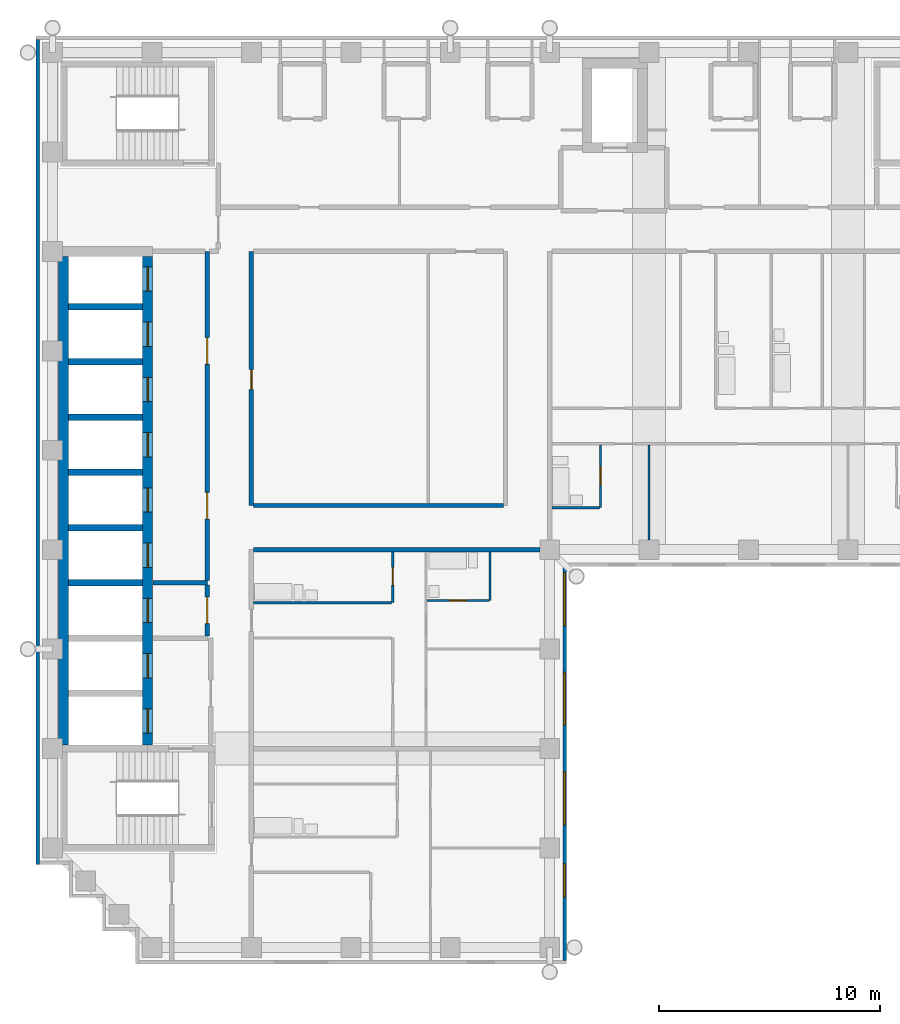
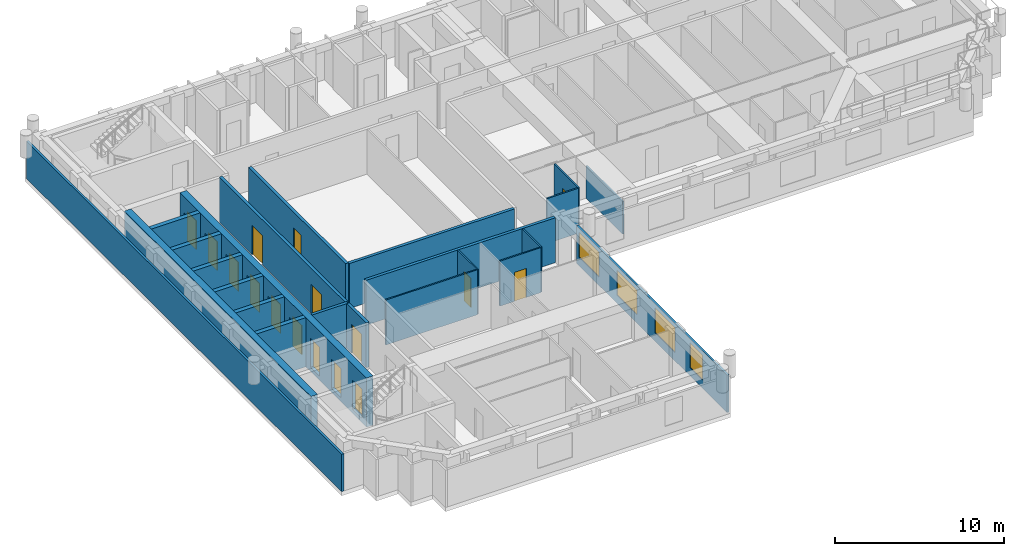
# One storey, part 3 of 9: 23 walls, 16 doors, 4 windows, 20 openings.
"""IFC4 building model written with IfcOpenShell, lengths in metres."""

import ifcopenshell
import ifcopenshell.guid

model = None  # the IFC model being written
_history = None  # IfcOwnerHistory: only IFC2X3 demands one
_inside = {}  # id of a spatial element -> (the spatial element, [elements in it])
_under = {}  # id of a project, library or spatial element -> (it, [spatial elements below it])
_declared = {}  # id of a project -> (the project, [libraries it declares])
_typed = {}  # id of a type object -> (the type object, [elements of that type])
_made_of = {}  # id of a material, layer set ... -> (it, [elements and type objects made of it])


def new_model(schema):
    """Start an empty IFC model of exactly this schema.

    Asked for "IFC4X3", IfcOpenShell would pick the latest addendum, in which some entities
    have other attributes; the version numbers below select the first issue.
    IFC2X3 requires an IfcOwnerHistory on every rooted entity: one is made here for all.
    """
    global model, _history
    if schema == "IFC4X3":
        model = ifcopenshell.file(schema_version=(4, 3, 0, 0))
    else:
        model = ifcopenshell.file(schema=schema)
    _inside.clear()
    _under.clear()
    _declared.clear()
    _typed.clear()
    _made_of.clear()
    _history = None
    if model.schema == "IFC2X3":
        org = make("IfcOrganization", Name="unknown")
        user = make(
            "IfcPersonAndOrganization",
            ThePerson=make("IfcPerson", FamilyName="unknown"),
            TheOrganization=org,
        )
        app = make(
            "IfcApplication",
            ApplicationDeveloper=org,
            Version="unknown",
            ApplicationFullName="unknown",
            ApplicationIdentifier="unknown",
        )
        _history = make(
            "IfcOwnerHistory",
            OwningUser=user,
            OwningApplication=app,
            ChangeAction="ADDED",
            CreationDate=0,
        )
    return model


def make(cls, **values):
    """One entity of the class cls with the attributes given. An attribute that is None is left unset."""
    return model.create_entity(
        cls, **{name: value for name, value in values.items() if value is not None}
    )


def rooted(cls, **values):
    """An entity with a GlobalId (a new one), such as an element, a storey or a relation."""
    return make(cls, GlobalId=ifcopenshell.guid.new(), OwnerHistory=_history, **values)


def si_unit(unit_type, name, prefix=None):
    """IfcSIUnit, for example si_unit("LENGTHUNIT", "METRE", prefix="MILLI")."""
    return make("IfcSIUnit", UnitType=unit_type, Prefix=prefix, Name=name)


def assignment(units):
    """IfcUnitAssignment: the units of a project."""
    return None if units is None else make("IfcUnitAssignment", Units=units)


def point(xyz):
    """IfcCartesianPoint."""
    return None if xyz is None else make("IfcCartesianPoint", Coordinates=xyz)


def direction(xyz):
    """IfcDirection."""
    return None if xyz is None else make("IfcDirection", DirectionRatios=xyz)


def frame(location, z_axis=None, x_axis=None):
    """IfcAxis2Placement3D, a coordinate frame: its origin and axes. An axis left out is left unset."""
    return make(
        "IfcAxis2Placement3D",
        Location=point(location),
        Axis=direction(z_axis),
        RefDirection=direction(x_axis),
    )


def frame_2d(location, x_axis=None):
    """IfcAxis2Placement2D, a coordinate frame in the plane: its origin and x axis."""
    return make(
        "IfcAxis2Placement2D", Location=point(location), RefDirection=direction(x_axis)
    )


def origin():
    """The frame at (0, 0, 0) with its axes left unset."""
    return frame((0.0, 0.0, 0.0))


def place(relative_to, where):
    """IfcLocalPlacement: puts the frame where relative to a parent placement (None: the world)."""
    return make(
        "IfcLocalPlacement", PlacementRelTo=relative_to, RelativePlacement=where
    )


def context(
    kind, dimensions, precision=None, world=None, true_north=None, identifier=None
):
    """IfcGeometricRepresentationContext, for example the 3D "Model" context."""
    return make(
        "IfcGeometricRepresentationContext",
        ContextIdentifier=identifier,
        ContextType=kind,
        CoordinateSpaceDimension=dimensions,
        Precision=precision,
        WorldCoordinateSystem=world,
        TrueNorth=true_north,
    )


def subcontext(parent, identifier, kind, view, scale=None):
    """IfcGeometricRepresentationSubContext, for example "Body" below "Model"."""
    return make(
        "IfcGeometricRepresentationSubContext",
        ContextIdentifier=identifier,
        ContextType=kind,
        ParentContext=parent,
        TargetScale=scale,
        TargetView=view,
    )


def project(units=None, contexts=None):
    """IfcProject with its units and contexts."""
    return rooted(
        "IfcProject",
        Name="project",
        RepresentationContexts=contexts,
        UnitsInContext=assignment(units),
    )


def spatial(cls, under=None, at=None, **own):
    """A site, building, storey or space (cls), placed at a placement, below another one or the project."""
    s = rooted(cls, ObjectPlacement=at, **own)
    if under is not None:
        _under.setdefault(under.id(), (under, []))[1].append(s)
    return s


def profile(cls, at=None, kind="AREA", **sizes):
    """A parametric profile (cls). Its sizes go by their IFC names, for example OverallWidth=200.0."""
    return make(cls, ProfileType=kind, Position=at, **sizes)


def rectangle(**sizes):
    """IfcRectangleProfileDef."""
    return profile("IfcRectangleProfileDef", **sizes)


def extrude(swept, where, along, depth):
    """IfcExtrudedAreaSolid: the profile swept, set in the frame where, extruded along a direction by depth."""
    return make(
        "IfcExtrudedAreaSolid",
        SweptArea=swept,
        Position=where,
        ExtrudedDirection=direction(along),
        Depth=depth,
    )


def shape(context_of_items, identifier, shape_type, items):
    """IfcShapeRepresentation: the items that make up one representation, for example the "Body"."""
    return make(
        "IfcShapeRepresentation",
        ContextOfItems=context_of_items,
        RepresentationIdentifier=identifier,
        RepresentationType=shape_type,
        Items=items,
    )


def material(Name=None, Category=None):
    """IfcMaterial."""
    return make("IfcMaterial", Name=Name, Category=Category)


def layer(
    of_material, thickness, ventilated=None, Name=None, Category=None, Priority=None
):
    """IfcMaterialLayer: one layer of a wall or slab, of a material (None: an air gap)."""
    return make(
        "IfcMaterialLayer",
        Material=of_material,
        LayerThickness=thickness,
        IsVentilated=ventilated,
        Name=Name,
        Category=Category,
        Priority=Priority,
    )


def layer_set(layers, Name=None):
    """IfcMaterialLayerSet."""
    return make("IfcMaterialLayerSet", MaterialLayers=layers, LayerSetName=Name)


def made_of(thing, what):
    """Note that an element or type object is made of a material, layer set ...; save() writes the relation."""
    if what is not None:
        _made_of.setdefault(what.id(), (what, []))[1].append(thing)
    return thing


def type_object(cls, material=None, **own):
    """A type object (cls), such as IfcWallType, which elements share."""
    return made_of(rooted(cls, **own), material)


def element(
    cls,
    number,
    at=None,
    inside=None,
    cuts=None,
    type_object=None,
    material=None,
    context=None,
    identifier="Body",
    shape_type=None,
    held_by="IfcProductDefinitionShape",
    body=None,
    shapes=None,
    **own,
):
    """One element of the class cls, such as IfcWall. Its Tag is "e" and its number.

    at: its placement. inside: the storey or other place that contains it. cuts: it is an
    opening in that element (IfcRelVoidsElement). A single representation is given by context,
    identifier, shape_type and body (its items); several are given by shapes. held_by: the class
    of the entity that holds the representations. save() writes the other relations.
    """
    e = rooted(cls, Tag="e%d" % number, ObjectPlacement=at, **own)
    if body is not None:
        shapes = [shape(context, identifier, shape_type, body)]
    if shapes is not None:
        e.Representation = make(held_by, Representations=shapes)
    if inside is not None:
        _inside.setdefault(inside.id(), (inside, []))[1].append(e)
    if cuts is not None:
        rooted(
            "IfcRelVoidsElement", RelatingBuildingElement=cuts, RelatedOpeningElement=e
        )
    if type_object is not None:
        _typed.setdefault(type_object.id(), (type_object, []))[1].append(e)
    return made_of(e, material)


def fill(opening, filler):
    """IfcRelFillsElement: the door or window that sits in an opening."""
    return rooted(
        "IfcRelFillsElement",
        RelatingOpeningElement=opening,
        RelatedBuildingElement=filler,
    )


def aggregate(whole, parts):
    """IfcRelAggregates: a whole, such as a stair, and the parts it consists of."""
    return rooted("IfcRelAggregates", RelatingObject=whole, RelatedObjects=parts)


def save(model, path):
    """Write the relations noted so far, then the file.

    IfcRelAggregates (storeys below a building ...), IfcRelContainedInSpatialStructure (elements
    in a storey), IfcRelDefinesByType, IfcRelAssociatesMaterial and IfcRelDeclares: one each for
    every whole, place, type object, material and project.
    """
    for whole, parts in _under.values():
        aggregate(whole, parts)
    for where, things in _inside.values():
        rooted(
            "IfcRelContainedInSpatialStructure",
            RelatedElements=things,
            RelatingStructure=where,
        )
    for kind, things in _typed.values():
        rooted("IfcRelDefinesByType", RelatedObjects=things, RelatingType=kind)
    for what, things in _made_of.values():
        rooted("IfcRelAssociatesMaterial", RelatedObjects=things, RelatingMaterial=what)
    for by, libraries in _declared.values():
        rooted("IfcRelDeclares", RelatingContext=by, RelatedDefinitions=libraries)
    model.write(path)


model = new_model("IFC4")

# Units and contexts
model_context = context("Model", 3, precision=1e-05, world=origin(), true_north=direction((0.0, 1.0)))
body_context = subcontext(model_context, "Body", "Model", "MODEL_VIEW")
ifc_project = project(units=[si_unit("LENGTHUNIT", "METRE"), si_unit("AREAUNIT", "SQUARE_METRE"), si_unit("VOLUMEUNIT", "CUBIC_METRE"), si_unit("PLANEANGLEUNIT", "RADIAN"), si_unit("MASSUNIT", "GRAM", prefix="KILO")], contexts=[model_context])

# Site, building, storey
site_placement = place(None, origin())
site = spatial("IfcSite", under=ifc_project, at=site_placement, CompositionType="ELEMENT")
building_placement = place(site_placement, origin())
building = spatial("IfcBuilding", under=site, at=building_placement, Name="Firuza Court", CompositionType="ELEMENT")
storey_placement = place(building_placement, frame((0.0, 0.0, 229.39990234375)))
storey = spatial("IfcBuildingStorey", under=building, at=storey_placement, Name="L59", CompositionType="ELEMENT", Elevation=229.39990234375)

# Wall
ifc_material_1 = material(Name="Moisture-resistant gypsum board partition")
ifc_layer_1 = layer(ifc_material_1, 0.10009765625)
ifc_layer_set_1 = layer_set([ifc_layer_1], Name="Moisture-resistant gypsum board partition")
wall_type_1 = type_object("IfcWallType", Name="Bathroom partition 100", PredefinedType="PLUMBINGWALL", material=ifc_layer_set_1)
wall_1_placement = place(storey_placement, frame((9.10009765625, 33.60009765625, 0.0), z_axis=(0.0, 0.0, 1.0), x_axis=(1.0, 0.0, 0.0)))
element("IfcWall", 1, at=wall_1_placement, inside=storey, type_object=wall_type_1, Name="Bathroom partition 100 L59", PredefinedType="PLUMBINGWALL", context=body_context, shape_type="SweptSolid", body=[
    extrude(rectangle(XDim=6.25, YDim=0.10009765625, at=frame_2d((3.125, 0.0))), origin(), (0.0, 0.0, 1.0), 3.25),
])

# Wall, opening, door
wall_2_placement = place(storey_placement, frame((16.949951171875, 33.699951171875, 0.0), z_axis=(0.0, 0.0, 1.0), x_axis=(1.0, 0.0, 0.0)))
wall_2 = element("IfcWall", 2, at=wall_2_placement, inside=storey, type_object=wall_type_1, Name="Bathroom partition 100 L59", PredefinedType="PLUMBINGWALL", context=body_context, shape_type="SweptSolid", body=[
    extrude(rectangle(XDim=2.800048828125, YDim=0.10009765625, at=frame_2d((1.39990234375, 0.0))), origin(), (0.0, 0.0, 1.0), 3.25),
])
opening_1_placement = place(wall_2_placement, frame((1.0, 0.0, 0.0)))
opening_1 = element("IfcOpeningElement", 3, at=opening_1_placement, cuts=wall_2, Name="Opening D59025", PredefinedType="OPENING", context=body_context, shape_type="SweptSolid", body=[
    extrude(rectangle(XDim=0.800048828125, YDim=2.10009765625, at=frame_2d((0.39990234375, 1.050048828125))), frame((0.0, 0.06201171875, 0.0), z_axis=(0.0, -1.0, 0.0), x_axis=(1.0, 0.0, 0.0)), (0.0, 0.0, 1.0), 0.1240234375),
])
ifc_material_2 = material(Name="Timber door leaf in hardwood frame", Category="wood")
door_type_1 = type_object("IfcDoorType", Name="Bathroom door 800", OperationType="SINGLE_SWING_LEFT", PredefinedType="DOOR", material=ifc_material_2)
door_1_placement = place(opening_1_placement, origin())
door_1 = element("IfcDoor", 4, at=door_1_placement, inside=storey, type_object=door_type_1, Name="En-suite door", OperationType="SINGLE_SWING_LEFT", OverallHeight=2.10009765625, OverallWidth=0.800048828125, PredefinedType="DOOR", context=body_context, shape_type="SweptSolid", body=[
    extrude(rectangle(XDim=0.800048828125, YDim=2.10009765625, at=frame_2d((0.39990234375, 1.050048828125))), frame((0.0, 0.02490234375, 0.0), z_axis=(0.0, -1.0, 0.0), x_axis=(1.0, 0.0, 0.0)), (0.0, 0.0, 1.0), 0.050048828125),
])
fill(opening_1, door_1)

# Walls
wall_3_placement = place(storey_placement, frame((19.800048828125, 33.699951171875, 0.0), z_axis=(0.0, 0.0, 1.0), x_axis=(0.0, 1.0, 0.0)))
element("IfcWall", 5, at=wall_3_placement, inside=storey, type_object=wall_type_1, Name="Bathroom partition 100 L59", PredefinedType="PLUMBINGWALL", context=body_context, shape_type="SweptSolid", body=[
    extrude(rectangle(XDim=2.199951171875, YDim=0.10009765625, at=frame_2d((1.10009765625, 0.0))), origin(), (0.0, 0.0, 1.0), 3.25),
])
wall_4_placement = place(storey_placement, frame((22.60009765625, 37.89990234375, 0.0), z_axis=(0.0, 0.0, 1.0), x_axis=(1.0, 0.0, 0.0)))
element("IfcWall", 6, at=wall_4_placement, inside=storey, type_object=wall_type_1, Name="Bathroom partition 100 L59", PredefinedType="PLUMBINGWALL", context=body_context, shape_type="SweptSolid", body=[
    extrude(rectangle(XDim=2.14990234375, YDim=0.10009765625, at=frame_2d((1.074951171875, 0.0))), origin(), (0.0, 0.0, 1.0), 3.25),
])

# Wall, opening, door
wall_5_placement = place(storey_placement, frame((24.800048828125, 37.89990234375, 0.0), z_axis=(0.0, 0.0, 1.0), x_axis=(0.0, 1.0, 0.0)))
wall_5 = element("IfcWall", 7, at=wall_5_placement, inside=storey, type_object=wall_type_1, Name="Bathroom partition 100 L59", PredefinedType="PLUMBINGWALL", context=body_context, shape_type="SweptSolid", body=[
    extrude(rectangle(XDim=2.85009765625, YDim=0.10009765625, at=frame_2d((1.425048828125, 0.0))), origin(), (0.0, 0.0, 1.0), 3.25),
])
opening_2_placement = place(wall_5_placement, frame((1.050048828125, 0.0, 0.0)))
opening_2 = element("IfcOpeningElement", 8, at=opening_2_placement, cuts=wall_5, Name="Opening D59026", PredefinedType="OPENING", context=body_context, shape_type="SweptSolid", body=[
    extrude(rectangle(XDim=0.800048828125, YDim=2.10009765625, at=frame_2d((0.39990234375, 1.050048828125))), frame((0.0, 0.06201171875, 0.0), z_axis=(0.0, -1.0, 0.0), x_axis=(1.0, 0.0, 0.0)), (0.0, 0.0, 1.0), 0.1240234375),
])
door_2_placement = place(opening_2_placement, origin())
door_2 = element("IfcDoor", 9, at=door_2_placement, inside=storey, type_object=door_type_1, Name="En-suite door", OperationType="SINGLE_SWING_LEFT", OverallHeight=2.10009765625, OverallWidth=0.800048828125, PredefinedType="DOOR", context=body_context, shape_type="SweptSolid", body=[
    extrude(rectangle(XDim=0.800048828125, YDim=2.10009765625, at=frame_2d((0.39990234375, 1.050048828125))), frame((0.0, 0.02490234375, 0.0), z_axis=(0.0, -1.0, 0.0), x_axis=(1.0, 0.0, 0.0)), (0.0, 0.0, 1.0), 0.050048828125),
])
fill(opening_2, door_2)

# Walls
ifc_material_3 = material(Name="Concrete C50/60", Category="concrete")
ifc_layer_2 = layer(ifc_material_3, 0.300048828125)
ifc_layer_set_2 = layer_set([ifc_layer_2], Name="Concrete C50/60")
wall_type_2 = type_object("IfcWallType", Name="Core wall 300 C50/60", PredefinedType="SHEAR", material=ifc_layer_set_2)
for number, where, z_axis, x_axis, name in (
    (10, (0.72509765625, 34.5, -0.2998046875), (0.0, 0.0, 1.0), (1.0, 0.0, 0.0), "Core wall lift shaft L59"),
    (11, (0.72509765625, 37.0, -0.2998046875), (0.0, 0.0, 1.0), (1.0, 0.0, 0.0), "Core wall lift shaft L59"),
    (12, (0.72509765625, 39.5, -0.2998046875), (0.0, 0.0, 1.0), (1.0, 0.0, 0.0), "Core wall lift shaft L59"),
    (13, (0.72509765625, 42.0, -0.2998046875), (0.0, 0.0, 1.0), (1.0, 0.0, 0.0), "Core wall lift shaft L59"),
    (14, (0.72509765625, 44.5, -0.2998046875), (0.0, 0.0, 1.0), (1.0, 0.0, 0.0), "Core wall lift shaft L59"),
    (15, (0.72509765625, 47.0, -0.2998046875), (0.0, 0.0, 1.0), (1.0, 0.0, 0.0), "Core wall lift shaft L59"),
):
    element("IfcWall", number, at=place(storey_placement, frame(where, z_axis=z_axis, x_axis=x_axis)), inside=storey, type_object=wall_type_2, Name=name, PredefinedType="SHEAR", context=body_context, shape_type="SweptSolid", body=[
        extrude(rectangle(XDim=3.349853515625, YDim=0.300048828125, at=frame_2d((1.6748046875, 0.0))), origin(), (0.0, 0.0, 1.0), 3.5498046875),
    ])
ifc_layer_3 = layer(ifc_material_3, 0.449951171875)
ifc_layer_set_3 = layer_set([ifc_layer_3], Name="Concrete C50/60")
wall_type_3 = type_object("IfcWallType", Name="Core wall 450 C50/60", PredefinedType="SHEAR", material=ifc_layer_set_3)
wall_6_placement = place(storey_placement, frame((0.5, 27.14990234375, -0.2998046875), z_axis=(0.0, 0.0, 1.0), x_axis=(0.0, 1.0, 0.0)))
element("IfcWall", 16, at=wall_6_placement, inside=storey, type_object=wall_type_3, Name="Core wall lift shaft L59", PredefinedType="SHEAR", context=body_context, shape_type="SweptSolid", body=[
    extrude(rectangle(XDim=22.125, YDim=0.449951171875, at=frame_2d((11.0625, 0.0))), origin(), (0.0, 0.0, 1.0), 3.5498046875),
])

# Wall, openings, doors
wall_7_placement = place(storey_placement, frame((4.300048828125, 27.14990234375, -0.2998046875), z_axis=(0.0, 0.0, 1.0), x_axis=(0.0, 1.0, 0.0)))
wall_7 = element("IfcWall", 17, at=wall_7_placement, inside=storey, type_object=wall_type_3, Name="Core wall lift shaft L59", PredefinedType="SHEAR", context=body_context, shape_type="SweptSolid", body=[
    extrude(rectangle(XDim=22.125, YDim=0.449951171875, at=frame_2d((11.0625, 0.0))), origin(), (0.0, 0.0, 1.0), 3.5498046875),
])
opening_3_placement = place(wall_7_placement, frame((3.050048828125, 0.0, 0.300048828125)))
opening_3 = element("IfcOpeningElement", 18, at=opening_3_placement, cuts=wall_7, Name="Opening LD-FL1-59", PredefinedType="OPENING", context=body_context, shape_type="SweptSolid", body=[
    extrude(rectangle(XDim=1.10009765625, YDim=2.10009765625, at=frame_2d((0.550048828125, 1.050048828125))), frame((0.0, 0.23681640625, 0.0), z_axis=(0.0, -1.0, 0.0), x_axis=(1.0, 0.0, 0.0)), (0.0, 0.0, 1.0), 0.473876953125),
])
opening_4_placement = place(wall_7_placement, frame((0.550048828125, 0.0, 0.300048828125)))
opening_4 = element("IfcOpeningElement", 19, at=opening_4_placement, cuts=wall_7, Name="Opening LD-FL2-59", PredefinedType="OPENING", context=body_context, shape_type="SweptSolid", body=[
    extrude(rectangle(XDim=1.10009765625, YDim=2.10009765625, at=frame_2d((0.550048828125, 1.050048828125))), frame((0.0, 0.23681640625, 0.0), z_axis=(0.0, -1.0, 0.0), x_axis=(1.0, 0.0, 0.0)), (0.0, 0.0, 1.0), 0.473876953125),
])
opening_5_placement = place(wall_7_placement, frame((20.550048828125, 0.0, 0.300048828125)))
opening_5 = element("IfcOpeningElement", 20, at=opening_5_placement, cuts=wall_7, Name="Opening LD-HB1-59", PredefinedType="OPENING", context=body_context, shape_type="SweptSolid", body=[
    extrude(rectangle(XDim=1.10009765625, YDim=2.10009765625, at=frame_2d((0.550048828125, 1.050048828125))), frame((0.0, 0.23681640625, 0.0), z_axis=(0.0, -1.0, 0.0), x_axis=(1.0, 0.0, 0.0)), (0.0, 0.0, 1.0), 0.473876953125),
])
opening_6_placement = place(wall_7_placement, frame((18.050048828125, 0.0, 0.300048828125)))
opening_6 = element("IfcOpeningElement", 21, at=opening_6_placement, cuts=wall_7, Name="Opening LD-HB2-59", PredefinedType="OPENING", context=body_context, shape_type="SweptSolid", body=[
    extrude(rectangle(XDim=1.10009765625, YDim=2.10009765625, at=frame_2d((0.550048828125, 1.050048828125))), frame((0.0, 0.23681640625, 0.0), z_axis=(0.0, -1.0, 0.0), x_axis=(1.0, 0.0, 0.0)), (0.0, 0.0, 1.0), 0.473876953125),
])
opening_7_placement = place(wall_7_placement, frame((15.550048828125, 0.0, 0.300048828125)))
opening_7 = element("IfcOpeningElement", 22, at=opening_7_placement, cuts=wall_7, Name="Opening LD-HB3-59", PredefinedType="OPENING", context=body_context, shape_type="SweptSolid", body=[
    extrude(rectangle(XDim=1.10009765625, YDim=2.10009765625, at=frame_2d((0.550048828125, 1.050048828125))), frame((0.0, 0.23681640625, 0.0), z_axis=(0.0, -1.0, 0.0), x_axis=(1.0, 0.0, 0.0)), (0.0, 0.0, 1.0), 0.473876953125),
])
opening_8_placement = place(wall_7_placement, frame((13.050048828125, 0.0, 0.300048828125)))
opening_8 = element("IfcOpeningElement", 23, at=opening_8_placement, cuts=wall_7, Name="Opening LD-HB4-59", PredefinedType="OPENING", context=body_context, shape_type="SweptSolid", body=[
    extrude(rectangle(XDim=1.10009765625, YDim=2.10009765625, at=frame_2d((0.550048828125, 1.050048828125))), frame((0.0, 0.23681640625, 0.0), z_axis=(0.0, -1.0, 0.0), x_axis=(1.0, 0.0, 0.0)), (0.0, 0.0, 1.0), 0.473876953125),
])
opening_9_placement = place(wall_7_placement, frame((10.550048828125, 0.0, 0.300048828125)))
opening_9 = element("IfcOpeningElement", 24, at=opening_9_placement, cuts=wall_7, Name="Opening LD-HB5-59", PredefinedType="OPENING", context=body_context, shape_type="SweptSolid", body=[
    extrude(rectangle(XDim=1.10009765625, YDim=2.10009765625, at=frame_2d((0.550048828125, 1.050048828125))), frame((0.0, 0.23681640625, 0.0), z_axis=(0.0, -1.0, 0.0), x_axis=(1.0, 0.0, 0.0)), (0.0, 0.0, 1.0), 0.473876953125),
])
opening_10_placement = place(wall_7_placement, frame((8.050048828125, 0.0, 0.300048828125)))
opening_10 = element("IfcOpeningElement", 25, at=opening_10_placement, cuts=wall_7, Name="Opening LD-HB6-59", PredefinedType="OPENING", context=body_context, shape_type="SweptSolid", body=[
    extrude(rectangle(XDim=1.10009765625, YDim=2.10009765625, at=frame_2d((0.550048828125, 1.050048828125))), frame((0.0, 0.23681640625, 0.0), z_axis=(0.0, -1.0, 0.0), x_axis=(1.0, 0.0, 0.0)), (0.0, 0.0, 1.0), 0.473876953125),
])
opening_11_placement = place(wall_7_placement, frame((5.550048828125, 0.0, 0.300048828125)))
opening_11 = element("IfcOpeningElement", 26, at=opening_11_placement, cuts=wall_7, Name="Opening LD-SL1-59", PredefinedType="OPENING", context=body_context, shape_type="SweptSolid", body=[
    extrude(rectangle(XDim=1.10009765625, YDim=2.10009765625, at=frame_2d((0.550048828125, 1.050048828125))), frame((0.0, 0.23681640625, 0.0), z_axis=(0.0, -1.0, 0.0), x_axis=(1.0, 0.0, 0.0)), (0.0, 0.0, 1.0), 0.473876953125),
])
ifc_material_4 = material(Name="Stainless steel 1.4301 door leaf", Category="steel")
door_type_2 = type_object("IfcDoorType", Name="Lift landing door 1100", OperationType="SLIDING_TO_LEFT", PredefinedType="DOOR", material=ifc_material_4)
door_3_placement = place(opening_3_placement, origin())
door_3 = element("IfcDoor", 27, at=door_3_placement, inside=storey, type_object=door_type_2, Name="Landing door FL1", OperationType="SLIDING_TO_LEFT", OverallHeight=2.10009765625, OverallWidth=1.10009765625, PredefinedType="DOOR", context=body_context, shape_type="SweptSolid", body=[
    extrude(rectangle(XDim=1.10009765625, YDim=2.10009765625, at=frame_2d((0.550048828125, 1.050048828125))), frame((0.0, 0.02490234375, 0.0), z_axis=(0.0, -1.0, 0.0), x_axis=(1.0, 0.0, 0.0)), (0.0, 0.0, 1.0), 0.050048828125),
])
fill(opening_3, door_3)
door_4_placement = place(opening_4_placement, origin())
door_4 = element("IfcDoor", 28, at=door_4_placement, inside=storey, type_object=door_type_2, Name="Landing door FL2", OperationType="SLIDING_TO_LEFT", OverallHeight=2.10009765625, OverallWidth=1.10009765625, PredefinedType="DOOR", context=body_context, shape_type="SweptSolid", body=[
    extrude(rectangle(XDim=1.10009765625, YDim=2.10009765625, at=frame_2d((0.550048828125, 1.050048828125))), frame((0.0, 0.02490234375, 0.0), z_axis=(0.0, -1.0, 0.0), x_axis=(1.0, 0.0, 0.0)), (0.0, 0.0, 1.0), 0.050048828125),
])
fill(opening_4, door_4)
door_5_placement = place(opening_5_placement, origin())
door_5 = element("IfcDoor", 29, at=door_5_placement, inside=storey, type_object=door_type_2, Name="Landing door HB1", OperationType="SLIDING_TO_LEFT", OverallHeight=2.10009765625, OverallWidth=1.10009765625, PredefinedType="DOOR", context=body_context, shape_type="SweptSolid", body=[
    extrude(rectangle(XDim=1.10009765625, YDim=2.10009765625, at=frame_2d((0.550048828125, 1.050048828125))), frame((0.0, 0.02490234375, 0.0), z_axis=(0.0, -1.0, 0.0), x_axis=(1.0, 0.0, 0.0)), (0.0, 0.0, 1.0), 0.050048828125),
])
fill(opening_5, door_5)
door_6_placement = place(opening_6_placement, origin())
door_6 = element("IfcDoor", 30, at=door_6_placement, inside=storey, type_object=door_type_2, Name="Landing door HB2", OperationType="SLIDING_TO_LEFT", OverallHeight=2.10009765625, OverallWidth=1.10009765625, PredefinedType="DOOR", context=body_context, shape_type="SweptSolid", body=[
    extrude(rectangle(XDim=1.10009765625, YDim=2.10009765625, at=frame_2d((0.550048828125, 1.050048828125))), frame((0.0, 0.02490234375, 0.0), z_axis=(0.0, -1.0, 0.0), x_axis=(1.0, 0.0, 0.0)), (0.0, 0.0, 1.0), 0.050048828125),
])
fill(opening_6, door_6)
door_7_placement = place(opening_7_placement, origin())
door_7 = element("IfcDoor", 31, at=door_7_placement, inside=storey, type_object=door_type_2, Name="Landing door HB3", OperationType="SLIDING_TO_LEFT", OverallHeight=2.10009765625, OverallWidth=1.10009765625, PredefinedType="DOOR", context=body_context, shape_type="SweptSolid", body=[
    extrude(rectangle(XDim=1.10009765625, YDim=2.10009765625, at=frame_2d((0.550048828125, 1.050048828125))), frame((0.0, 0.02490234375, 0.0), z_axis=(0.0, -1.0, 0.0), x_axis=(1.0, 0.0, 0.0)), (0.0, 0.0, 1.0), 0.050048828125),
])
fill(opening_7, door_7)
door_8_placement = place(opening_8_placement, origin())
door_8 = element("IfcDoor", 32, at=door_8_placement, inside=storey, type_object=door_type_2, Name="Landing door HB4", OperationType="SLIDING_TO_LEFT", OverallHeight=2.10009765625, OverallWidth=1.10009765625, PredefinedType="DOOR", context=body_context, shape_type="SweptSolid", body=[
    extrude(rectangle(XDim=1.10009765625, YDim=2.10009765625, at=frame_2d((0.550048828125, 1.050048828125))), frame((0.0, 0.02490234375, 0.0), z_axis=(0.0, -1.0, 0.0), x_axis=(1.0, 0.0, 0.0)), (0.0, 0.0, 1.0), 0.050048828125),
])
fill(opening_8, door_8)
door_9_placement = place(opening_9_placement, origin())
door_9 = element("IfcDoor", 33, at=door_9_placement, inside=storey, type_object=door_type_2, Name="Landing door HB5", OperationType="SLIDING_TO_LEFT", OverallHeight=2.10009765625, OverallWidth=1.10009765625, PredefinedType="DOOR", context=body_context, shape_type="SweptSolid", body=[
    extrude(rectangle(XDim=1.10009765625, YDim=2.10009765625, at=frame_2d((0.550048828125, 1.050048828125))), frame((0.0, 0.02490234375, 0.0), z_axis=(0.0, -1.0, 0.0), x_axis=(1.0, 0.0, 0.0)), (0.0, 0.0, 1.0), 0.050048828125),
])
fill(opening_9, door_9)
door_10_placement = place(opening_10_placement, origin())
door_10 = element("IfcDoor", 34, at=door_10_placement, inside=storey, type_object=door_type_2, Name="Landing door HB6", OperationType="SLIDING_TO_LEFT", OverallHeight=2.10009765625, OverallWidth=1.10009765625, PredefinedType="DOOR", context=body_context, shape_type="SweptSolid", body=[
    extrude(rectangle(XDim=1.10009765625, YDim=2.10009765625, at=frame_2d((0.550048828125, 1.050048828125))), frame((0.0, 0.02490234375, 0.0), z_axis=(0.0, -1.0, 0.0), x_axis=(1.0, 0.0, 0.0)), (0.0, 0.0, 1.0), 0.050048828125),
])
fill(opening_10, door_10)
door_11_placement = place(opening_11_placement, origin())
door_11 = element("IfcDoor", 35, at=door_11_placement, inside=storey, type_object=door_type_2, Name="Landing door SL1", OperationType="SLIDING_TO_LEFT", OverallHeight=2.10009765625, OverallWidth=1.10009765625, PredefinedType="DOOR", context=body_context, shape_type="SweptSolid", body=[
    extrude(rectangle(XDim=1.10009765625, YDim=2.10009765625, at=frame_2d((0.550048828125, 1.050048828125))), frame((0.0, 0.02490234375, 0.0), z_axis=(0.0, -1.0, 0.0), x_axis=(1.0, 0.0, 0.0)), (0.0, 0.0, 1.0), 0.050048828125),
])
fill(opening_11, door_11)

# Wall, opening, door
ifc_material_5 = material(Name="Blockwork, plastered both sides", Category="masonry")
ifc_layer_4 = layer(ifc_material_5, 0.199951171875)
ifc_layer_set_4 = layer_set([ifc_layer_4], Name="Blockwork, plastered both sides")
wall_type_4 = type_object("IfcWallType", Name="Corridor wall 200", PredefinedType="PARTITIONING", material=ifc_layer_set_4)
wall_8_placement = place(storey_placement, frame((9.0, 38.0, 0.0), z_axis=(0.0, 0.0, 1.0), x_axis=(0.0, 1.0, 0.0)))
wall_8 = element("IfcWall", 36, at=wall_8_placement, inside=storey, type_object=wall_type_4, Name="Corridor wall 200 L59", PredefinedType="PARTITIONING", context=body_context, shape_type="SweptSolid", body=[
    extrude(rectangle(XDim=11.5, YDim=0.199951171875, at=frame_2d((5.75, 0.0))), origin(), (0.0, 0.0, 1.0), 3.25),
])
opening_12_placement = place(wall_8_placement, frame((5.25, 0.0, 0.0)))
opening_12 = element("IfcOpeningElement", 37, at=opening_12_placement, cuts=wall_8, Name="Opening D59028", PredefinedType="OPENING", context=body_context, shape_type="SweptSolid", body=[
    extrude(rectangle(XDim=0.89990234375, YDim=2.10009765625, at=frame_2d((0.449951171875, 1.050048828125))), frame((0.0, 0.11181640625, 0.0), z_axis=(0.0, -1.0, 0.0), x_axis=(1.0, 0.0, 0.0)), (0.0, 0.0, 1.0), 0.223876953125),
])
ifc_material_6 = material(Name="Timber door leaf in hardwood frame", Category="wood")
door_type_3 = type_object("IfcDoorType", Name="Room door 900 EI 30", OperationType="SINGLE_SWING_LEFT", PredefinedType="DOOR", material=ifc_material_6)
door_12_placement = place(opening_12_placement, origin())
door_12 = element("IfcDoor", 38, at=door_12_placement, inside=storey, type_object=door_type_3, Name="Cinema room door", OperationType="SINGLE_SWING_LEFT", OverallHeight=2.10009765625, OverallWidth=0.89990234375, PredefinedType="DOOR", context=body_context, shape_type="SweptSolid", body=[
    extrude(rectangle(XDim=0.89990234375, YDim=2.10009765625, at=frame_2d((0.449951171875, 1.050048828125))), frame((0.0, 0.02490234375, 0.0), z_axis=(0.0, -1.0, 0.0), x_axis=(1.0, 0.0, 0.0)), (0.0, 0.0, 1.0), 0.050048828125),
])
fill(opening_12, door_12)

# Wall
wall_9_placement = place(storey_placement, frame((9.10009765625, 38.0, 0.0), z_axis=(0.0, 0.0, 1.0), x_axis=(1.0, 0.0, 0.0)))
element("IfcWall", 39, at=wall_9_placement, inside=storey, type_object=wall_type_4, Name="Corridor wall 200 L59", PredefinedType="PARTITIONING", context=body_context, shape_type="SweptSolid", body=[
    extrude(rectangle(XDim=11.2998046875, YDim=0.199951171875, at=frame_2d((5.64990234375, 0.0))), origin(), (0.0, 0.0, 1.0), 3.25),
])

# Wall, opening, door
ifc_material_7 = material(Name="Timber stud partition, plasterboard both sides", Category="wood")
ifc_layer_5 = layer(ifc_material_7, 0.10009765625)
ifc_layer_set_5 = layer_set([ifc_layer_5], Name="Timber stud partition, plasterboard both sides")
wall_type_5 = type_object("IfcWallType", Name="Partition wall 100", PredefinedType="PARTITIONING", material=ifc_layer_set_5)
wall_10_placement = place(storey_placement, frame((15.39990234375, 33.60009765625, 0.0), z_axis=(0.0, 0.0, 1.0), x_axis=(0.0, 1.0, 0.0)))
wall_10 = element("IfcWall", 40, at=wall_10_placement, inside=storey, type_object=wall_type_5, Name="Partition wall 100 L59", PredefinedType="PARTITIONING", context=body_context, shape_type="SweptSolid", body=[
    extrude(rectangle(XDim=2.2998046875, YDim=0.10009765625, at=frame_2d((1.14990234375, 0.0))), origin(), (0.0, 0.0, 1.0), 3.25),
])
opening_13_placement = place(wall_10_placement, frame((0.800048828125, 0.0, 0.0)))
opening_13 = element("IfcOpeningElement", 41, at=opening_13_placement, cuts=wall_10, Name="Opening D59024", PredefinedType="OPENING", context=body_context, shape_type="SweptSolid", body=[
    extrude(rectangle(XDim=0.800048828125, YDim=2.10009765625, at=frame_2d((0.39990234375, 1.050048828125))), frame((0.0, 0.06201171875, 0.0), z_axis=(0.0, -1.0, 0.0), x_axis=(1.0, 0.0, 0.0)), (0.0, 0.0, 1.0), 0.1240234375),
])
door_13_placement = place(opening_13_placement, origin())
door_13 = element("IfcDoor", 42, at=door_13_placement, inside=storey, type_object=door_type_1, Name="Bathroom door", OperationType="SINGLE_SWING_LEFT", OverallHeight=2.10009765625, OverallWidth=0.800048828125, PredefinedType="DOOR", context=body_context, shape_type="SweptSolid", body=[
    extrude(rectangle(XDim=0.800048828125, YDim=2.10009765625, at=frame_2d((0.39990234375, 1.050048828125))), frame((0.0, 0.02490234375, 0.0), z_axis=(0.0, -1.0, 0.0), x_axis=(1.0, 0.0, 0.0)), (0.0, 0.0, 1.0), 0.050048828125),
])
fill(opening_13, door_13)

# Walls
wall_11_placement = place(storey_placement, frame((27.0, 36.449951171875, 0.0), z_axis=(0.0, 0.0, 1.0), x_axis=(0.0, 1.0, 0.0)))
element("IfcWall", 43, at=wall_11_placement, inside=storey, type_object=wall_type_5, Name="Partition wall 100 L59", PredefinedType="PARTITIONING", context=body_context, shape_type="SweptSolid", body=[
    extrude(rectangle(XDim=4.300048828125, YDim=0.10009765625, at=frame_2d((2.14990234375, 0.0))), origin(), (0.0, 0.0, 1.0), 2.35009765625),
])
ifc_layer_6 = layer(ifc_material_5, 0.199951171875)
ifc_layer_set_6 = layer_set([ifc_layer_6], Name="Blockwork, plastered both sides")
wall_type_6 = type_object("IfcWallType", Name="Party wall 200", PredefinedType="PARTITIONING", material=ifc_layer_set_6)
wall_12_placement = place(storey_placement, frame((9.10009765625, 36.0, 0.0), z_axis=(0.0, 0.0, 1.0), x_axis=(1.0, 0.0, 0.0)))
element("IfcWall", 44, at=wall_12_placement, inside=storey, type_object=wall_type_6, Name="Party wall 200 L59", PredefinedType="PARTITIONING", context=body_context, shape_type="SweptSolid", body=[
    extrude(rectangle(XDim=12.949951171875, YDim=0.199951171875, at=frame_2d((6.47509765625, 0.0))), origin(), (0.0, 0.0, 1.0), 3.25),
])

# Wall, openings, windows
ifc_material_8 = material(Name="Ceramic tile", Category="ceramic")
ifc_layer_7 = layer(ifc_material_8, 0.02001953125)
ifc_material_9 = material(Name="Mineral wool insulation", Category="insulation")
ifc_layer_8 = layer(ifc_material_9, 0.050048828125)
ifc_material_10 = material(Name="Concrete C40/50 precast", Category="concrete")
ifc_layer_9 = layer(ifc_material_10, 0.080078125)
ifc_layer_set_7 = layer_set([ifc_layer_7, ifc_layer_8, ifc_layer_9], Name="Concrete C40/50 precast")
wall_type_7 = type_object("IfcWallType", Name="Precast cladding wall with turquoise TILE PANEL face 150", PredefinedType="STANDARD", material=ifc_layer_set_7)
wall_13_placement = place(storey_placement, frame((23.175048828125, 17.39990234375, 0.0), z_axis=(0.0, 0.0, 1.0), x_axis=(0.0, 1.0, 0.0)))
wall_13 = element("IfcWall", 45, at=wall_13_placement, inside=storey, type_object=wall_type_7, Name="Facade wall L59 E", PredefinedType="STANDARD", context=body_context, shape_type="SweptSolid", body=[
    extrude(rectangle(XDim=17.85009765625, YDim=0.14990234375, at=frame_2d((8.925048828125, 0.0))), origin(), (0.0, 0.0, 1.0), 2.7001953125),
])
opening_14_placement = place(wall_13_placement, frame((2.876220703125, 0.0, 0.60009765625)))
opening_14 = element("IfcOpeningElement", 46, at=opening_14_placement, cuts=wall_13, Name="Opening W2", PredefinedType="OPENING", context=body_context, shape_type="SweptSolid", body=[
    extrude(rectangle(XDim=1.5, YDim=1.800048828125, at=frame_2d((0.75, 0.89990234375))), frame((0.0, 0.0869140625, 0.0), z_axis=(0.0, -1.0, 0.0), x_axis=(1.0, 0.0, 0.0)), (0.0, 0.0, 1.0), 0.173828125),
])
opening_15_placement = place(wall_13_placement, frame((6.14990234375, 0.0, 0.60009765625)))
opening_15 = element("IfcOpeningElement", 47, at=opening_15_placement, cuts=wall_13, Name="Opening W1", PredefinedType="OPENING", context=body_context, shape_type="SweptSolid", body=[
    extrude(rectangle(XDim=2.39990234375, YDim=1.800048828125, at=frame_2d((1.199951171875, 0.89990234375))), frame((0.0, 0.0869140625, 0.0), z_axis=(0.0, -1.0, 0.0), x_axis=(1.0, 0.0, 0.0)), (0.0, 0.0, 1.0), 0.173828125),
])
opening_16_placement = place(wall_13_placement, frame((10.64990234375, 0.0, 0.60009765625)))
opening_16 = element("IfcOpeningElement", 48, at=opening_16_placement, cuts=wall_13, Name="Opening W1", PredefinedType="OPENING", context=body_context, shape_type="SweptSolid", body=[
    extrude(rectangle(XDim=2.39990234375, YDim=1.800048828125, at=frame_2d((1.199951171875, 0.89990234375))), frame((0.0, 0.0869140625, 0.0), z_axis=(0.0, -1.0, 0.0), x_axis=(1.0, 0.0, 0.0)), (0.0, 0.0, 1.0), 0.173828125),
])
opening_17_placement = place(wall_13_placement, frame((15.14990234375, 0.0, 0.60009765625)))
opening_17 = element("IfcOpeningElement", 49, at=opening_17_placement, cuts=wall_13, Name="Opening W1", PredefinedType="OPENING", context=body_context, shape_type="SweptSolid", body=[
    extrude(rectangle(XDim=2.39990234375, YDim=1.800048828125, at=frame_2d((1.199951171875, 0.89990234375))), frame((0.0, 0.0869140625, 0.0), z_axis=(0.0, -1.0, 0.0), x_axis=(1.0, 0.0, 0.0)), (0.0, 0.0, 1.0), 0.173828125),
])
ifc_material_11 = material(Name="Aluminium frame, triple clear glazing", Category="aluminium")
window_type_1 = type_object("IfcWindowType", Name="Window W1 2400 x 1800", PartitioningType="SINGLE_PANEL", PredefinedType="WINDOW", material=ifc_material_11)
window_1_placement = place(opening_15_placement, origin())
window_1 = element("IfcWindow", 50, at=window_1_placement, inside=storey, type_object=window_type_1, Name="Window L59", OverallHeight=1.800048828125, OverallWidth=2.39990234375, PartitioningType="SINGLE_PANEL", PredefinedType="WINDOW", context=body_context, shape_type="SweptSolid", body=[
    extrude(rectangle(XDim=2.39990234375, YDim=1.800048828125, at=frame_2d((1.199951171875, 0.89990234375))), frame((0.0, 0.030029296875, 0.0), z_axis=(0.0, -1.0, 0.0), x_axis=(1.0, 0.0, 0.0)), (0.0, 0.0, 1.0), 0.06005859375),
])
fill(opening_15, window_1)
window_2_placement = place(opening_16_placement, origin())
window_2 = element("IfcWindow", 51, at=window_2_placement, inside=storey, type_object=window_type_1, Name="Window L59", OverallHeight=1.800048828125, OverallWidth=2.39990234375, PartitioningType="SINGLE_PANEL", PredefinedType="WINDOW", context=body_context, shape_type="SweptSolid", body=[
    extrude(rectangle(XDim=2.39990234375, YDim=1.800048828125, at=frame_2d((1.199951171875, 0.89990234375))), frame((0.0, 0.030029296875, 0.0), z_axis=(0.0, -1.0, 0.0), x_axis=(1.0, 0.0, 0.0)), (0.0, 0.0, 1.0), 0.06005859375),
])
fill(opening_16, window_2)
window_3_placement = place(opening_17_placement, origin())
window_3 = element("IfcWindow", 52, at=window_3_placement, inside=storey, type_object=window_type_1, Name="Window L59", OverallHeight=1.800048828125, OverallWidth=2.39990234375, PartitioningType="SINGLE_PANEL", PredefinedType="WINDOW", context=body_context, shape_type="SweptSolid", body=[
    extrude(rectangle(XDim=2.39990234375, YDim=1.800048828125, at=frame_2d((1.199951171875, 0.89990234375))), frame((0.0, 0.030029296875, 0.0), z_axis=(0.0, -1.0, 0.0), x_axis=(1.0, 0.0, 0.0)), (0.0, 0.0, 1.0), 0.06005859375),
])
fill(opening_17, window_3)
ifc_material_12 = material(Name="Aluminium frame, triple clear glazing", Category="aluminium")
window_type_2 = type_object("IfcWindowType", Name="Window W2 1500 x 1800", PartitioningType="SINGLE_PANEL", PredefinedType="WINDOW", material=ifc_material_12)
window_4_placement = place(opening_14_placement, origin())
window_4 = element("IfcWindow", 53, at=window_4_placement, inside=storey, type_object=window_type_2, Name="Window L59", OverallHeight=1.800048828125, OverallWidth=1.5, PartitioningType="SINGLE_PANEL", PredefinedType="WINDOW", context=body_context, shape_type="SweptSolid", body=[
    extrude(rectangle(XDim=1.5, YDim=1.800048828125, at=frame_2d((0.75, 0.89990234375))), frame((0.0, 0.030029296875, 0.0), z_axis=(0.0, -1.0, 0.0), x_axis=(1.0, 0.0, 0.0)), (0.0, 0.0, 1.0), 0.06005859375),
])
fill(opening_14, window_4)

# Walls
wall_14_placement = place(storey_placement, frame((-0.675048828125, 59.10009765625, 0.0), z_axis=(0.0, 0.0, 1.0), x_axis=(0.0, -1.0, 0.0)))
element("IfcWall", 54, at=wall_14_placement, inside=storey, type_object=wall_type_7, Name="Facade wall L59 W", PredefinedType="STANDARD", context=body_context, shape_type="SweptSolid", body=[
    extrude(rectangle(XDim=37.35009765625, YDim=0.14990234375, at=frame_2d((18.675048828125, 0.0))), origin(), (0.0, 0.0, 1.0), 2.7001953125),
])
ifc_material_13 = material(Name="Blockwork, fire-rated", Category="masonry")
ifc_layer_10 = layer(ifc_material_13, 0.199951171875)
ifc_layer_set_8 = layer_set([ifc_layer_10], Name="Blockwork, fire-rated")
wall_type_8 = type_object("IfcWallType", Name="Shaft wall 200", PredefinedType="PARTITIONING", material=ifc_layer_set_8)
wall_15_placement = place(storey_placement, frame((4.544921875, 34.5, 0.0), z_axis=(0.0, 0.0, 1.0), x_axis=(1.0, 0.0, 0.0)))
element("IfcWall", 55, at=wall_15_placement, inside=storey, type_object=wall_type_8, Name="Shaft wall 200 L59", PredefinedType="PARTITIONING", context=body_context, shape_type="SweptSolid", body=[
    extrude(rectangle(XDim=2.455078125, YDim=0.199951171875, at=frame_2d((1.2275390625, 0.0))), origin(), (0.0, 0.0, 1.0), 3.25),
])

# Wall, openings, doors
wall_16_placement = place(storey_placement, frame((7.0, 34.60009765625, 0.0), z_axis=(0.0, 0.0, 1.0), x_axis=(0.0, 1.0, 0.0)))
wall_16 = element("IfcWall", 56, at=wall_16_placement, inside=storey, type_object=wall_type_8, Name="Shaft wall 200 L59", PredefinedType="PARTITIONING", context=body_context, shape_type="SweptSolid", body=[
    extrude(rectangle(XDim=14.89990234375, YDim=0.199951171875, at=frame_2d((7.449951171875, 0.0))), origin(), (0.0, 0.0, 1.0), 3.25),
])
opening_18_placement = place(wall_16_placement, frame((2.800048828125, 0.0, 0.0)))
opening_18 = element("IfcOpeningElement", 57, at=opening_18_placement, cuts=wall_16, Name="Opening D59004", PredefinedType="OPENING", context=body_context, shape_type="SweptSolid", body=[
    extrude(rectangle(XDim=1.199951171875, YDim=2.10009765625, at=frame_2d((0.60009765625, 1.050048828125))), frame((0.0, 0.11181640625, 0.0), z_axis=(0.0, -1.0, 0.0), x_axis=(1.0, 0.0, 0.0)), (0.0, 0.0, 1.0), 0.223876953125),
])
opening_19_placement = place(wall_16_placement, frame((9.800048828125, 0.0, 0.0)))
opening_19 = element("IfcOpeningElement", 58, at=opening_19_placement, cuts=wall_16, Name="Opening D59005", PredefinedType="OPENING", context=body_context, shape_type="SweptSolid", body=[
    extrude(rectangle(XDim=1.199951171875, YDim=2.10009765625, at=frame_2d((0.60009765625, 1.050048828125))), frame((0.0, 0.11181640625, 0.0), z_axis=(0.0, -1.0, 0.0), x_axis=(1.0, 0.0, 0.0)), (0.0, 0.0, 1.0), 0.223876953125),
])
ifc_material_14 = material(Name="Timber door leaf in hardwood frame", Category="wood")
door_type_4 = type_object("IfcDoorType", Name="Lobby door 1200", OperationType="SINGLE_SWING_LEFT", PredefinedType="DOOR", material=ifc_material_14)
door_14_placement = place(opening_18_placement, origin())
door_14 = element("IfcDoor", 59, at=door_14_placement, inside=storey, type_object=door_type_4, Name="Lobby door", OperationType="SINGLE_SWING_LEFT", OverallHeight=2.10009765625, OverallWidth=1.199951171875, PredefinedType="DOOR", context=body_context, shape_type="SweptSolid", body=[
    extrude(rectangle(XDim=1.199951171875, YDim=2.10009765625, at=frame_2d((0.60009765625, 1.050048828125))), frame((0.0, 0.02490234375, 0.0), z_axis=(0.0, -1.0, 0.0), x_axis=(1.0, 0.0, 0.0)), (0.0, 0.0, 1.0), 0.050048828125),
])
fill(opening_18, door_14)
door_15_placement = place(opening_19_placement, origin())
door_15 = element("IfcDoor", 60, at=door_15_placement, inside=storey, type_object=door_type_4, Name="Lobby door", OperationType="SINGLE_SWING_RIGHT", OverallHeight=2.10009765625, OverallWidth=1.199951171875, PredefinedType="DOOR", context=body_context, shape_type="SweptSolid", body=[
    extrude(rectangle(XDim=1.199951171875, YDim=2.10009765625, at=frame_2d((0.60009765625, 1.050048828125))), frame((0.0, 0.02490234375, 0.0), z_axis=(0.0, -1.0, 0.0), x_axis=(1.0, 0.0, 0.0)), (0.0, 0.0, 1.0), 0.050048828125),
])
fill(opening_19, door_15)

# Wall, opening, door
wall_17_placement = place(storey_placement, frame((7.0, 32.10009765625, 0.0), z_axis=(0.0, 0.0, 1.0), x_axis=(0.0, 1.0, 0.0)))
wall_17 = element("IfcWall", 61, at=wall_17_placement, inside=storey, type_object=wall_type_8, Name="Shaft wall 200 L59", PredefinedType="PARTITIONING", context=body_context, shape_type="SweptSolid", body=[
    extrude(rectangle(XDim=2.2998046875, YDim=0.199951171875, at=frame_2d((1.14990234375, 0.0))), origin(), (0.0, 0.0, 1.0), 3.25),
])
opening_20_placement = place(wall_17_placement, frame((0.550048828125, 0.0, 0.0)))
opening_20 = element("IfcOpeningElement", 62, at=opening_20_placement, cuts=wall_17, Name="Opening D59007", PredefinedType="OPENING", context=body_context, shape_type="SweptSolid", body=[
    extrude(rectangle(XDim=1.199951171875, YDim=2.10009765625, at=frame_2d((0.60009765625, 1.050048828125))), frame((0.0, 0.11181640625, 0.0), z_axis=(0.0, -1.0, 0.0), x_axis=(1.0, 0.0, 0.0)), (0.0, 0.0, 1.0), 0.223876953125),
])
door_16_placement = place(opening_20_placement, origin())
door_16 = element("IfcDoor", 63, at=door_16_placement, inside=storey, type_object=door_type_4, Name="Lobby door", OperationType="SINGLE_SWING_LEFT", OverallHeight=2.10009765625, OverallWidth=1.199951171875, PredefinedType="DOOR", context=body_context, shape_type="SweptSolid", body=[
    extrude(rectangle(XDim=1.199951171875, YDim=2.10009765625, at=frame_2d((0.60009765625, 1.050048828125))), frame((0.0, 0.02490234375, 0.0), z_axis=(0.0, -1.0, 0.0), x_axis=(1.0, 0.0, 0.0)), (0.0, 0.0, 1.0), 0.050048828125),
])
fill(opening_20, door_16)

save(model, "model.ifc")
